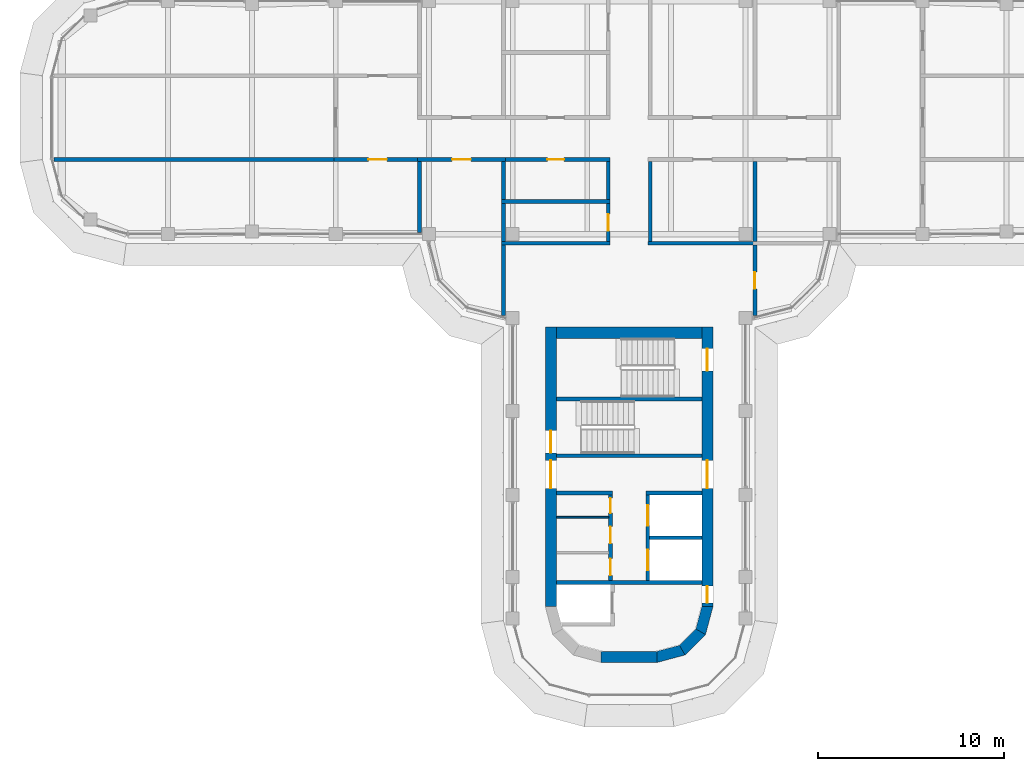
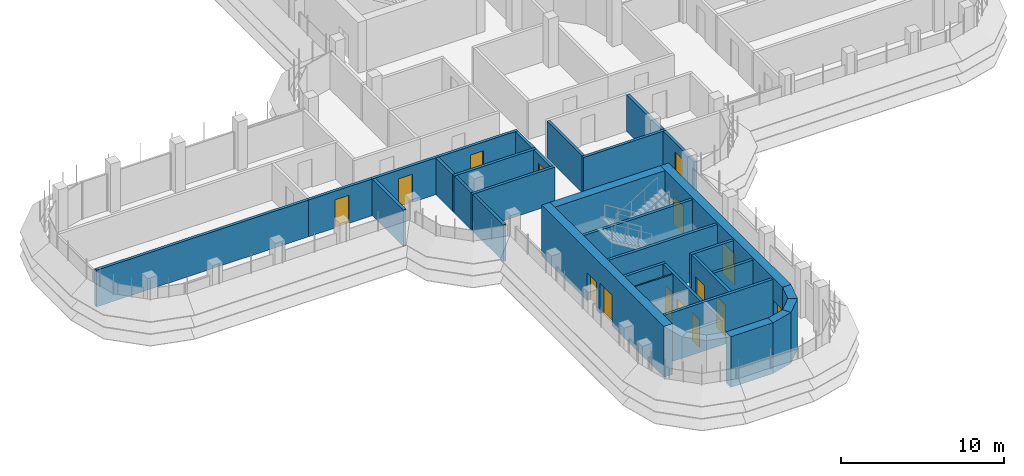
# One storey, part 13 of 19: 32 walls, 15 doors, 15 openings.
"""IFC4 building model written with IfcOpenShell, lengths in metres."""

import ifcopenshell
import ifcopenshell.guid

model = None  # the IFC model being written
_history = None  # IfcOwnerHistory: only IFC2X3 demands one
_inside = {}  # id of a spatial element -> (the spatial element, [elements in it])
_under = {}  # id of a project, library or spatial element -> (it, [spatial elements below it])
_declared = {}  # id of a project -> (the project, [libraries it declares])
_typed = {}  # id of a type object -> (the type object, [elements of that type])
_made_of = {}  # id of a material, layer set ... -> (it, [elements and type objects made of it])


def new_model(schema):
    """Start an empty IFC model of exactly this schema.

    Asked for "IFC4X3", IfcOpenShell would pick the latest addendum, in which some entities
    have other attributes; the version numbers below select the first issue.
    IFC2X3 requires an IfcOwnerHistory on every rooted entity: one is made here for all.
    """
    global model, _history
    if schema == "IFC4X3":
        model = ifcopenshell.file(schema_version=(4, 3, 0, 0))
    else:
        model = ifcopenshell.file(schema=schema)
    _inside.clear()
    _under.clear()
    _declared.clear()
    _typed.clear()
    _made_of.clear()
    _history = None
    if model.schema == "IFC2X3":
        org = make("IfcOrganization", Name="unknown")
        user = make(
            "IfcPersonAndOrganization",
            ThePerson=make("IfcPerson", FamilyName="unknown"),
            TheOrganization=org,
        )
        app = make(
            "IfcApplication",
            ApplicationDeveloper=org,
            Version="unknown",
            ApplicationFullName="unknown",
            ApplicationIdentifier="unknown",
        )
        _history = make(
            "IfcOwnerHistory",
            OwningUser=user,
            OwningApplication=app,
            ChangeAction="ADDED",
            CreationDate=0,
        )
    return model


def make(cls, **values):
    """One entity of the class cls with the attributes given. An attribute that is None is left unset."""
    return model.create_entity(
        cls, **{name: value for name, value in values.items() if value is not None}
    )


def rooted(cls, **values):
    """An entity with a GlobalId (a new one), such as an element, a storey or a relation."""
    return make(cls, GlobalId=ifcopenshell.guid.new(), OwnerHistory=_history, **values)


def si_unit(unit_type, name, prefix=None):
    """IfcSIUnit, for example si_unit("LENGTHUNIT", "METRE", prefix="MILLI")."""
    return make("IfcSIUnit", UnitType=unit_type, Prefix=prefix, Name=name)


def assignment(units):
    """IfcUnitAssignment: the units of a project."""
    return None if units is None else make("IfcUnitAssignment", Units=units)


def point(xyz):
    """IfcCartesianPoint."""
    return None if xyz is None else make("IfcCartesianPoint", Coordinates=xyz)


def direction(xyz):
    """IfcDirection."""
    return None if xyz is None else make("IfcDirection", DirectionRatios=xyz)


def frame(location, z_axis=None, x_axis=None):
    """IfcAxis2Placement3D, a coordinate frame: its origin and axes. An axis left out is left unset."""
    return make(
        "IfcAxis2Placement3D",
        Location=point(location),
        Axis=direction(z_axis),
        RefDirection=direction(x_axis),
    )


def frame_2d(location, x_axis=None):
    """IfcAxis2Placement2D, a coordinate frame in the plane: its origin and x axis."""
    return make(
        "IfcAxis2Placement2D", Location=point(location), RefDirection=direction(x_axis)
    )


def origin():
    """The frame at (0, 0, 0) with its axes left unset."""
    return frame((0.0, 0.0, 0.0))


def place(relative_to, where):
    """IfcLocalPlacement: puts the frame where relative to a parent placement (None: the world)."""
    return make(
        "IfcLocalPlacement", PlacementRelTo=relative_to, RelativePlacement=where
    )


def context(
    kind, dimensions, precision=None, world=None, true_north=None, identifier=None
):
    """IfcGeometricRepresentationContext, for example the 3D "Model" context."""
    return make(
        "IfcGeometricRepresentationContext",
        ContextIdentifier=identifier,
        ContextType=kind,
        CoordinateSpaceDimension=dimensions,
        Precision=precision,
        WorldCoordinateSystem=world,
        TrueNorth=true_north,
    )


def subcontext(parent, identifier, kind, view, scale=None):
    """IfcGeometricRepresentationSubContext, for example "Body" below "Model"."""
    return make(
        "IfcGeometricRepresentationSubContext",
        ContextIdentifier=identifier,
        ContextType=kind,
        ParentContext=parent,
        TargetScale=scale,
        TargetView=view,
    )


def project(units=None, contexts=None):
    """IfcProject with its units and contexts."""
    return rooted(
        "IfcProject",
        Name="project",
        RepresentationContexts=contexts,
        UnitsInContext=assignment(units),
    )


def spatial(cls, under=None, at=None, **own):
    """A site, building, storey or space (cls), placed at a placement, below another one or the project."""
    s = rooted(cls, ObjectPlacement=at, **own)
    if under is not None:
        _under.setdefault(under.id(), (under, []))[1].append(s)
    return s


def polyline(points):
    """IfcPolyline through the points."""
    return make("IfcPolyline", Points=[point(p) for p in points])


def profile(cls, at=None, kind="AREA", **sizes):
    """A parametric profile (cls). Its sizes go by their IFC names, for example OverallWidth=200.0."""
    return make(cls, ProfileType=kind, Position=at, **sizes)


def rectangle(**sizes):
    """IfcRectangleProfileDef."""
    return profile("IfcRectangleProfileDef", **sizes)


def outline(outer, holes=None, kind="AREA"):
    """IfcArbitraryClosedProfileDef: a profile drawn as a closed curve; with holes, ...WithVoids."""
    if holes is None:
        return make("IfcArbitraryClosedProfileDef", ProfileType=kind, OuterCurve=outer)
    return make(
        "IfcArbitraryProfileDefWithVoids",
        ProfileType=kind,
        OuterCurve=outer,
        InnerCurves=holes,
    )


def extrude(swept, where, along, depth):
    """IfcExtrudedAreaSolid: the profile swept, set in the frame where, extruded along a direction by depth."""
    return make(
        "IfcExtrudedAreaSolid",
        SweptArea=swept,
        Position=where,
        ExtrudedDirection=direction(along),
        Depth=depth,
    )


def shape(context_of_items, identifier, shape_type, items):
    """IfcShapeRepresentation: the items that make up one representation, for example the "Body"."""
    return make(
        "IfcShapeRepresentation",
        ContextOfItems=context_of_items,
        RepresentationIdentifier=identifier,
        RepresentationType=shape_type,
        Items=items,
    )


def material(Name=None, Category=None):
    """IfcMaterial."""
    return make("IfcMaterial", Name=Name, Category=Category)


def layer(
    of_material, thickness, ventilated=None, Name=None, Category=None, Priority=None
):
    """IfcMaterialLayer: one layer of a wall or slab, of a material (None: an air gap)."""
    return make(
        "IfcMaterialLayer",
        Material=of_material,
        LayerThickness=thickness,
        IsVentilated=ventilated,
        Name=Name,
        Category=Category,
        Priority=Priority,
    )


def layer_set(layers, Name=None):
    """IfcMaterialLayerSet."""
    return make("IfcMaterialLayerSet", MaterialLayers=layers, LayerSetName=Name)


def made_of(thing, what):
    """Note that an element or type object is made of a material, layer set ...; save() writes the relation."""
    if what is not None:
        _made_of.setdefault(what.id(), (what, []))[1].append(thing)
    return thing


def type_object(cls, material=None, **own):
    """A type object (cls), such as IfcWallType, which elements share."""
    return made_of(rooted(cls, **own), material)


def element(
    cls,
    number,
    at=None,
    inside=None,
    cuts=None,
    type_object=None,
    material=None,
    context=None,
    identifier="Body",
    shape_type=None,
    held_by="IfcProductDefinitionShape",
    body=None,
    shapes=None,
    **own,
):
    """One element of the class cls, such as IfcWall. Its Tag is "e" and its number.

    at: its placement. inside: the storey or other place that contains it. cuts: it is an
    opening in that element (IfcRelVoidsElement). A single representation is given by context,
    identifier, shape_type and body (its items); several are given by shapes. held_by: the class
    of the entity that holds the representations. save() writes the other relations.
    """
    e = rooted(cls, Tag="e%d" % number, ObjectPlacement=at, **own)
    if body is not None:
        shapes = [shape(context, identifier, shape_type, body)]
    if shapes is not None:
        e.Representation = make(held_by, Representations=shapes)
    if inside is not None:
        _inside.setdefault(inside.id(), (inside, []))[1].append(e)
    if cuts is not None:
        rooted(
            "IfcRelVoidsElement", RelatingBuildingElement=cuts, RelatedOpeningElement=e
        )
    if type_object is not None:
        _typed.setdefault(type_object.id(), (type_object, []))[1].append(e)
    return made_of(e, material)


def fill(opening, filler):
    """IfcRelFillsElement: the door or window that sits in an opening."""
    return rooted(
        "IfcRelFillsElement",
        RelatingOpeningElement=opening,
        RelatedBuildingElement=filler,
    )


def aggregate(whole, parts):
    """IfcRelAggregates: a whole, such as a stair, and the parts it consists of."""
    return rooted("IfcRelAggregates", RelatingObject=whole, RelatedObjects=parts)


def save(model, path):
    """Write the relations noted so far, then the file.

    IfcRelAggregates (storeys below a building ...), IfcRelContainedInSpatialStructure (elements
    in a storey), IfcRelDefinesByType, IfcRelAssociatesMaterial and IfcRelDeclares: one each for
    every whole, place, type object, material and project.
    """
    for whole, parts in _under.values():
        aggregate(whole, parts)
    for where, things in _inside.values():
        rooted(
            "IfcRelContainedInSpatialStructure",
            RelatedElements=things,
            RelatingStructure=where,
        )
    for kind, things in _typed.values():
        rooted("IfcRelDefinesByType", RelatedObjects=things, RelatingType=kind)
    for what, things in _made_of.values():
        rooted("IfcRelAssociatesMaterial", RelatedObjects=things, RelatingMaterial=what)
    for by, libraries in _declared.values():
        rooted("IfcRelDeclares", RelatingContext=by, RelatedDefinitions=libraries)
    model.write(path)


model = new_model("IFC4")

# Units and contexts
model_context = context("Model", 3, precision=1e-05, world=origin(), true_north=direction((0.0, 1.0)))
body_context = subcontext(model_context, "Body", "Model", "MODEL_VIEW")
ifc_project = project(units=[si_unit("LENGTHUNIT", "METRE"), si_unit("AREAUNIT", "SQUARE_METRE"), si_unit("VOLUMEUNIT", "CUBIC_METRE"), si_unit("PLANEANGLEUNIT", "RADIAN"), si_unit("MASSUNIT", "GRAM", prefix="KILO")], contexts=[model_context])

# Site, building, storey
site_placement = place(None, origin())
site = spatial("IfcSite", under=ifc_project, at=site_placement, CompositionType="ELEMENT")
building_placement = place(site_placement, origin())
building = spatial("IfcBuilding", under=site, at=building_placement, Name="Zarbagh Exchange Tower", CompositionType="ELEMENT")
storey_placement = place(building_placement, frame((0.0, 0.0, 203.0)))
storey = spatial("IfcBuildingStorey", under=building, at=storey_placement, Name="L49", CompositionType="ELEMENT", Elevation=203.0)

# Wall
ifc_material_1 = material(Name="Dense blockwork", Category="masonry")
ifc_layer_1 = layer(ifc_material_1, 0.10009765625)
ifc_layer_set_1 = layer_set([ifc_layer_1], Name="Core partition 100 mm blockwork")
wall_type_1 = type_object("IfcWallType", Name="Core partition 100 mm blockwork", PredefinedType="PARTITIONING", material=ifc_layer_set_1)
wall_1_placement = place(storey_placement, frame((-1.10009765625, -21.449951171875, 0.0), z_axis=(0.0, 0.0, 1.0), x_axis=(-1.0, 0.0, 0.0)))
element("IfcWall", 1, at=wall_1_placement, inside=storey, type_object=wall_type_1, Name="South core partition wall CUT-E-690", PredefinedType="PARTITIONING", context=body_context, shape_type="SweptSolid", body=[
    extrude(rectangle(XDim=2.7998046875, YDim=0.10009765625, at=frame_2d((1.39990234375, 0.0))), origin(), (0.0, 0.0, 1.0), 3.64990234375),
])

# Wall, opening, door
ifc_material_2 = material(Name="Fire-rated plasterboard partition")
ifc_layer_2 = layer(ifc_material_2, 0.199951171875)
ifc_layer_set_2 = layer_set([ifc_layer_2], Name="RATED PARTITION 200")
wall_type_2 = type_object("IfcWallType", Name="RATED PARTITION 200", PredefinedType="PARTITIONING", material=ifc_layer_set_2)
wall_2_placement = place(storey_placement, frame((-1.02490234375, -2.25, 0.0), z_axis=(0.0, 0.0, 1.0), x_axis=(-1.0, 0.0, 0.0)))
wall_2 = element("IfcWall", 2, at=wall_2_placement, inside=storey, type_object=wall_type_2, Name="Partition W-2107", PredefinedType="PARTITIONING", context=body_context, shape_type="SweptSolid", body=[
    extrude(rectangle(XDim=5.8251953125, YDim=0.199951171875, at=frame_2d((2.91259765625, 0.0))), origin(), (0.0, 0.0, 1.0), 2.75),
])
opening_1_placement = place(wall_2_placement, frame((2.46240234375, 0.0, 0.0)))
opening_1 = element("IfcOpeningElement", 3, at=opening_1_placement, cuts=wall_2, Name="Opening D-2112", PredefinedType="OPENING", context=body_context, shape_type="SweptSolid", body=[
    extrude(rectangle(XDim=0.89990234375, YDim=2.10009765625, at=frame_2d((0.449951171875, 1.050048828125))), frame((0.0, 0.10986328125, 0.0), z_axis=(0.0, -1.0, 0.0), x_axis=(1.0, 0.0, 0.0)), (0.0, 0.0, 1.0), 0.219970703125),
])
ifc_material_3 = material(Name="Timber door leaf", Category="wood")
door_type_1 = type_object("IfcDoorType", Name="DOOR 900 X 2100", OperationType="NOTDEFINED", PredefinedType="DOOR", material=ifc_material_3)
door_1_placement = place(opening_1_placement, origin())
door_1 = element("IfcDoor", 4, at=door_1_placement, inside=storey, type_object=door_type_1, Name="Door D-2112", OperationType="SINGLE_SWING_RIGHT", OverallHeight=2.10009765625, OverallWidth=0.89990234375, PredefinedType="DOOR", context=body_context, shape_type="SweptSolid", body=[
    extrude(rectangle(XDim=0.89990234375, YDim=2.10009765625, at=frame_2d((0.449951171875, 1.050048828125))), frame((0.0, 0.02490234375, 0.0), z_axis=(0.0, -1.0, 0.0), x_axis=(1.0, 0.0, 0.0)), (0.0, 0.0, 1.0), 0.050048828125),
])
fill(opening_1, door_1)

wall_3_placement = place(storey_placement, frame((-6.64990234375, -2.25, 0.0), z_axis=(0.0, 0.0, 1.0), x_axis=(-1.0, 0.0, 0.0)))
wall_3 = element("IfcWall", 5, at=wall_3_placement, inside=storey, type_object=wall_type_2, Name="Partition W-2108", PredefinedType="PARTITIONING", context=body_context, shape_type="SweptSolid", body=[
    extrude(rectangle(XDim=4.7001953125, YDim=0.199951171875, at=frame_2d((2.35009765625, 0.0))), origin(), (0.0, 0.0, 1.0), 2.75),
])
opening_2_placement = place(wall_3_placement, frame((1.85009765625, 0.0, 0.0)))
opening_2 = element("IfcOpeningElement", 6, at=opening_2_placement, cuts=wall_3, Name="Opening D-2114", PredefinedType="OPENING", context=body_context, shape_type="SweptSolid", body=[
    extrude(rectangle(XDim=1.0, YDim=2.10009765625, at=frame_2d((0.5, 1.050048828125))), frame((0.0, 0.10986328125, 0.0), z_axis=(0.0, -1.0, 0.0), x_axis=(1.0, 0.0, 0.0)), (0.0, 0.0, 1.0), 0.219970703125),
])
ifc_material_4 = material(Name="Steel door set", Category="steel")
door_type_2 = type_object("IfcDoorType", Name="FIRE DOOR 1000 X 2100 FD30S", OperationType="NOTDEFINED", PredefinedType="DOOR", material=ifc_material_4)
door_2_placement = place(opening_2_placement, origin())
door_2 = element("IfcDoor", 7, at=door_2_placement, inside=storey, type_object=door_type_2, Name="Door D-2114", OperationType="SINGLE_SWING_RIGHT", OverallHeight=2.10009765625, OverallWidth=1.0, PredefinedType="DOOR", context=body_context, shape_type="SweptSolid", body=[
    extrude(rectangle(XDim=1.0, YDim=2.10009765625, at=frame_2d((0.5, 1.050048828125))), frame((0.0, 0.02490234375, 0.0), z_axis=(0.0, -1.0, 0.0), x_axis=(1.0, 0.0, 0.0)), (0.0, 0.0, 1.0), 0.050048828125),
])
fill(opening_2, door_2)

# Walls
wall_4_placement = place(storey_placement, frame((1.125, -6.64990234375, 0.0), z_axis=(0.0, 0.0, 1.0), x_axis=(0.0, 1.0, 0.0)))
element("IfcWall", 8, at=wall_4_placement, inside=storey, type_object=wall_type_2, Name="Partition W-2112", PredefinedType="PARTITIONING", context=body_context, shape_type="SweptSolid", body=[
    extrude(rectangle(XDim=4.2998046875, YDim=0.199951171875, at=frame_2d((2.14990234375, 0.0))), origin(), (0.0, 0.0, 1.0), 2.75),
])
wall_5_placement = place(storey_placement, frame((-1.125, -4.39990234375, 0.0), z_axis=(0.0, 0.0, 1.0), x_axis=(0.0, 1.0, 0.0)))
element("IfcWall", 9, at=wall_5_placement, inside=storey, type_object=wall_type_2, Name="Partition W-2113", PredefinedType="PARTITIONING", context=body_context, shape_type="SweptSolid", body=[
    extrude(rectangle(XDim=2.0498046875, YDim=0.199951171875, at=frame_2d((1.02490234375, 0.0))), origin(), (0.0, 0.0, 1.0), 2.75),
])

# Wall, opening, door
wall_6_placement = place(storey_placement, frame((-1.125, -6.64990234375, 0.0), z_axis=(0.0, 0.0, 1.0), x_axis=(0.0, 1.0, 0.0)))
wall_6 = element("IfcWall", 10, at=wall_6_placement, inside=storey, type_object=wall_type_2, Name="Partition W-2114", PredefinedType="PARTITIONING", context=body_context, shape_type="SweptSolid", body=[
    extrude(rectangle(XDim=2.0498046875, YDim=0.199951171875, at=frame_2d((1.02490234375, 0.0))), origin(), (0.0, 0.0, 1.0), 2.75),
])
opening_3_placement = place(wall_6_placement, frame((0.574951171875, 0.0, 0.0)))
opening_3 = element("IfcOpeningElement", 11, at=opening_3_placement, cuts=wall_6, Name="Opening D-2113", PredefinedType="OPENING", context=body_context, shape_type="SweptSolid", body=[
    extrude(rectangle(XDim=0.89990234375, YDim=2.10009765625, at=frame_2d((0.449951171875, 1.050048828125))), frame((0.0, 0.10986328125, 0.0), z_axis=(0.0, -1.0, 0.0), x_axis=(1.0, 0.0, 0.0)), (0.0, 0.0, 1.0), 0.219970703125),
])
door_3_placement = place(opening_3_placement, origin())
door_3 = element("IfcDoor", 12, at=door_3_placement, inside=storey, type_object=door_type_1, Name="Door D-2113", OperationType="SINGLE_SWING_RIGHT", OverallHeight=2.10009765625, OverallWidth=0.89990234375, PredefinedType="DOOR", context=body_context, shape_type="SweptSolid", body=[
    extrude(rectangle(XDim=0.89990234375, YDim=2.10009765625, at=frame_2d((0.449951171875, 1.050048828125))), frame((0.0, 0.02490234375, 0.0), z_axis=(0.0, -1.0, 0.0), x_axis=(1.0, 0.0, 0.0)), (0.0, 0.0, 1.0), 0.050048828125),
])
fill(opening_3, door_3)

# Wall
wall_7_placement = place(storey_placement, frame((1.02490234375, -6.75, 0.0), z_axis=(0.0, 0.0, 1.0), x_axis=(1.0, 0.0, 0.0)))
element("IfcWall", 13, at=wall_7_placement, inside=storey, type_object=wall_type_2, Name="Partition W-2119", PredefinedType="PARTITIONING", context=body_context, shape_type="SweptSolid", body=[
    extrude(rectangle(XDim=5.8251953125, YDim=0.199951171875, at=frame_2d((2.91259765625, 0.0))), origin(), (0.0, 0.0, 1.0), 2.75),
])

# Wall, opening, door
wall_8_placement = place(storey_placement, frame((6.75, -6.85009765625, 0.0), z_axis=(0.0, 0.0, 1.0), x_axis=(0.0, -1.0, 0.0)))
wall_8 = element("IfcWall", 14, at=wall_8_placement, inside=storey, type_object=wall_type_2, Name="Partition W-2120", PredefinedType="PARTITIONING", context=body_context, shape_type="SweptSolid", body=[
    extrude(rectangle(XDim=3.77978515625, YDim=0.199951171875, at=frame_2d((1.889892578125, 0.0))), origin(), (0.0, 0.0, 1.0), 2.75),
])
opening_4_placement = place(wall_8_placement, frame((1.43994140625, 0.0, 0.0)))
opening_4 = element("IfcOpeningElement", 15, at=opening_4_placement, cuts=wall_8, Name="Opening D-2111", PredefinedType="OPENING", context=body_context, shape_type="SweptSolid", body=[
    extrude(rectangle(XDim=0.89990234375, YDim=2.10009765625, at=frame_2d((0.449951171875, 1.050048828125))), frame((0.0, 0.10986328125, 0.0), z_axis=(0.0, -1.0, 0.0), x_axis=(1.0, 0.0, 0.0)), (0.0, 0.0, 1.0), 0.219970703125),
])
door_4_placement = place(opening_4_placement, origin())
door_4 = element("IfcDoor", 16, at=door_4_placement, inside=storey, type_object=door_type_1, Name="Door D-2111", OperationType="SINGLE_SWING_LEFT", OverallHeight=2.10009765625, OverallWidth=0.89990234375, PredefinedType="DOOR", context=body_context, shape_type="SweptSolid", body=[
    extrude(rectangle(XDim=0.89990234375, YDim=2.10009765625, at=frame_2d((0.449951171875, 1.050048828125))), frame((0.0, 0.02490234375, 0.0), z_axis=(0.0, -1.0, 0.0), x_axis=(1.0, 0.0, 0.0)), (0.0, 0.0, 1.0), 0.050048828125),
])
fill(opening_4, door_4)

# Walls
wall_9_placement = place(storey_placement, frame((-6.85009765625, -6.75, 0.0), z_axis=(0.0, 0.0, 1.0), x_axis=(1.0, 0.0, 0.0)))
element("IfcWall", 17, at=wall_9_placement, inside=storey, type_object=wall_type_2, Name="Partition W-2121", PredefinedType="PARTITIONING", context=body_context, shape_type="SweptSolid", body=[
    extrude(rectangle(XDim=5.8251953125, YDim=0.199951171875, at=frame_2d((2.91259765625, 0.0))), origin(), (0.0, 0.0, 1.0), 2.75),
])
wall_10_placement = place(storey_placement, frame((-6.75, -10.6298828125, 0.0), z_axis=(0.0, 0.0, 1.0), x_axis=(0.0, 1.0, 0.0)))
element("IfcWall", 18, at=wall_10_placement, inside=storey, type_object=wall_type_2, Name="Partition W-2122", PredefinedType="PARTITIONING", context=body_context, shape_type="SweptSolid", body=[
    extrude(rectangle(XDim=3.77978515625, YDim=0.199951171875, at=frame_2d((1.889892578125, 0.0))), origin(), (0.0, 0.0, 1.0), 2.75),
])
wall_11_placement = place(storey_placement, frame((6.75, -6.64990234375, 0.0), z_axis=(0.0, 0.0, 1.0), x_axis=(0.0, 1.0, 0.0)))
element("IfcWall", 19, at=wall_11_placement, inside=storey, type_object=wall_type_2, Name="Partition W-2130", PredefinedType="PARTITIONING", context=body_context, shape_type="SweptSolid", body=[
    extrude(rectangle(XDim=4.2998046875, YDim=0.199951171875, at=frame_2d((2.14990234375, 0.0))), origin(), (0.0, 0.0, 1.0), 2.75),
])
wall_12_placement = place(storey_placement, frame((-6.85009765625, -4.5, 0.0), z_axis=(0.0, 0.0, 1.0), x_axis=(1.0, 0.0, 0.0)))
element("IfcWall", 20, at=wall_12_placement, inside=storey, type_object=wall_type_2, Name="Partition W-2133", PredefinedType="PARTITIONING", context=body_context, shape_type="SweptSolid", body=[
    extrude(rectangle(XDim=5.8251953125, YDim=0.199951171875, at=frame_2d((2.91259765625, 0.0))), origin(), (0.0, 0.0, 1.0), 2.75),
])
for number, where, z_axis, x_axis, name in (
    (21, (-6.75, -4.39990234375, 0.0), (0.0, 0.0, 1.0), (0.0, 1.0, 0.0), "Partition W-2134"),
    (22, (-6.75, -6.64990234375, 0.0), (0.0, 0.0, 1.0), (0.0, 1.0, 0.0), "Partition W-2135"),
):
    element("IfcWall", number, at=place(storey_placement, frame(where, z_axis=z_axis, x_axis=x_axis)), inside=storey, type_object=wall_type_2, Name=name, PredefinedType="PARTITIONING", context=body_context, shape_type="SweptSolid", body=[
        extrude(rectangle(XDim=2.0498046875, YDim=0.199951171875, at=frame_2d((1.02490234375, 0.0))), origin(), (0.0, 0.0, 1.0), 2.75),
    ])
wall_13_placement = place(storey_placement, frame((-11.25, -6.169921875, 0.0), z_axis=(0.0, 0.0, 1.0), x_axis=(0.0, 1.0, 0.0)))
element("IfcWall", 23, at=wall_13_placement, inside=storey, type_object=wall_type_2, Name="Partition W-2136", PredefinedType="PARTITIONING", context=body_context, shape_type="SweptSolid", body=[
    extrude(rectangle(XDim=3.81982421875, YDim=0.199951171875, at=frame_2d((1.909912109375, 0.0))), origin(), (0.0, 0.0, 1.0), 2.75),
])

# Wall, opening, door
wall_14_placement = place(storey_placement, frame((-11.14990234375, -2.25, 0.0), z_axis=(0.0, 0.0, 1.0), x_axis=(-1.0, 0.0, 0.0)))
wall_14 = element("IfcWall", 24, at=wall_14_placement, inside=storey, type_object=wall_type_2, Name="Partition W-2145", PredefinedType="PARTITIONING", context=body_context, shape_type="SweptSolid", body=[
    extrude(rectangle(XDim=4.7001953125, YDim=0.199951171875, at=frame_2d((2.35009765625, 0.0))), origin(), (0.0, 0.0, 1.0), 2.75),
])
opening_5_placement = place(wall_14_placement, frame((1.85009765625, 0.0, 0.0)))
opening_5 = element("IfcOpeningElement", 25, at=opening_5_placement, cuts=wall_14, Name="Opening D-2117", PredefinedType="OPENING", context=body_context, shape_type="SweptSolid", body=[
    extrude(rectangle(XDim=1.0, YDim=2.10009765625, at=frame_2d((0.5, 1.050048828125))), frame((0.0, 0.10986328125, 0.0), z_axis=(0.0, -1.0, 0.0), x_axis=(1.0, 0.0, 0.0)), (0.0, 0.0, 1.0), 0.219970703125),
])
door_5_placement = place(opening_5_placement, origin())
door_5 = element("IfcDoor", 26, at=door_5_placement, inside=storey, type_object=door_type_2, Name="Door D-2117", OperationType="SINGLE_SWING_RIGHT", OverallHeight=2.10009765625, OverallWidth=1.0, PredefinedType="DOOR", context=body_context, shape_type="SweptSolid", body=[
    extrude(rectangle(XDim=1.0, YDim=2.10009765625, at=frame_2d((0.5, 1.050048828125))), frame((0.0, 0.02490234375, 0.0), z_axis=(0.0, -1.0, 0.0), x_axis=(1.0, 0.0, 0.0)), (0.0, 0.0, 1.0), 0.050048828125),
])
fill(opening_5, door_5)

# Walls
wall_15_placement = place(storey_placement, frame((-30.8798828125, -2.25, 0.0), z_axis=(0.0, 0.0, 1.0), x_axis=(1.0, 0.0, 0.0)))
element("IfcWall", 27, at=wall_15_placement, inside=storey, type_object=wall_type_2, Name="Partition W-2148", PredefinedType="PARTITIONING", context=body_context, shape_type="SweptSolid", body=[
    extrude(rectangle(XDim=15.22998046875, YDim=0.199951171875, at=frame_2d((7.614990234375, 0.0))), origin(), (0.0, 0.0, 1.0), 2.75),
])
ifc_material_5 = material(Name="Concrete C50/60", Category="concrete")
ifc_layer_3 = layer(ifc_material_5, 0.60009765625)
ifc_layer_set_3 = layer_set([ifc_layer_3], Name="RC core corner wall 600 C50/60")
wall_type_3 = type_object("IfcWallType", Name="RC core corner wall 600 C50/60", PredefinedType="SHEAR", material=ifc_layer_set_3)
wall_16_placement = place(storey_placement, origin())
element("IfcWall", 28, at=wall_16_placement, inside=storey, type_object=wall_type_3, Name="CW8 core S corner E", PredefinedType="SHEAR", context=body_context, shape_type="SweptSolid", body=[
    extrude(outline(polyline([(4.5, -26.25), (4.09814453125, -27.75), (3.57861328125, -27.449951171875), (3.89990234375, -26.25), (4.5, -26.25)])), origin(), (0.0, 0.0, 1.0), 3.800048828125),
])
wall_17_placement = place(storey_placement, origin())
element("IfcWall", 29, at=wall_17_placement, inside=storey, type_object=wall_type_3, Name="CW8 core S corner E", PredefinedType="SHEAR", context=body_context, shape_type="SweptSolid", body=[
    extrude(outline(polyline([(4.09814453125, -27.75), (3.0, -28.84814453125), (2.699951171875, -28.32861328125), (3.57861328125, -27.449951171875), (4.09814453125, -27.75)])), origin(), (0.0, 0.0, 1.0), 3.800048828125),
])
wall_18_placement = place(storey_placement, origin())
element("IfcWall", 30, at=wall_18_placement, inside=storey, type_object=wall_type_3, Name="CW8 core S corner E", PredefinedType="SHEAR", context=body_context, shape_type="SweptSolid", body=[
    extrude(outline(polyline([(3.0, -28.84814453125), (1.5, -29.25), (1.5, -28.64990234375), (2.699951171875, -28.32861328125), (3.0, -28.84814453125)])), origin(), (0.0, 0.0, 1.0), 3.800048828125),
])

# Wall, openings, doors
ifc_layer_4 = layer(ifc_material_5, 0.60009765625)
ifc_layer_set_4 = layer_set([ifc_layer_4], Name="RC core wall 600 C50/60")
wall_type_4 = type_object("IfcWallType", Name="RC core wall 600 C50/60", PredefinedType="SHEAR", material=ifc_layer_set_4)
wall_19_placement = place(storey_placement, frame((-4.199951171875, -11.25, 0.0), z_axis=(0.0, 0.0, 1.0), x_axis=(0.0, -1.0, 0.0)))
wall_19 = element("IfcWall", 31, at=wall_19_placement, inside=storey, type_object=wall_type_4, Name="CW7 core S W", PredefinedType="SHEAR", context=body_context, shape_type="SweptSolid", body=[
    extrude(rectangle(XDim=15.0, YDim=0.60009765625, at=frame_2d((7.5, 0.0))), origin(), (0.0, 0.0, 1.0), 3.800048828125),
])
opening_6_placement = place(wall_19_placement, frame((7.14990234375, 0.0, 0.0)))
opening_6 = element("IfcOpeningElement", 32, at=opening_6_placement, cuts=wall_19, Name="Opening CD1-1500", PredefinedType="OPENING", context=body_context, shape_type="SweptSolid", body=[
    extrude(rectangle(XDim=1.5, YDim=2.300048828125, at=frame_2d((0.75, 1.14990234375))), frame((0.0, 0.31005859375, 0.0), z_axis=(0.0, -1.0, 0.0), x_axis=(1.0, 0.0, 0.0)), (0.0, 0.0, 1.0), 0.6201171875),
])
opening_7_placement = place(wall_19_placement, frame((5.550048828125, 0.0, 0.0)))
opening_7 = element("IfcOpeningElement", 33, at=opening_7_placement, cuts=wall_19, Name="Opening SD1-1200", PredefinedType="OPENING", context=body_context, shape_type="SweptSolid", body=[
    extrude(rectangle(XDim=1.199951171875, YDim=2.10009765625, at=frame_2d((0.60009765625, 1.050048828125))), frame((0.0, 0.31005859375, 0.0), z_axis=(0.0, -1.0, 0.0), x_axis=(1.0, 0.0, 0.0)), (0.0, 0.0, 1.0), 0.6201171875),
])
ifc_material_6 = material(Name="Steel", Category="steel")
door_type_3 = type_object("IfcDoorType", Name="Exit stair door 1200 x 2100", OperationType="NOTDEFINED", PredefinedType="DOOR", material=ifc_material_6)
door_6_placement = place(opening_7_placement, origin())
door_6 = element("IfcDoor", 34, at=door_6_placement, inside=storey, type_object=door_type_3, Name="South core stair door ST1", OperationType="SINGLE_SWING_LEFT", OverallHeight=2.10009765625, OverallWidth=1.199951171875, PredefinedType="DOOR", context=body_context, shape_type="SweptSolid", body=[
    extrude(rectangle(XDim=1.199951171875, YDim=2.10009765625, at=frame_2d((0.60009765625, 1.050048828125))), frame((0.0, 0.02490234375, 0.0), z_axis=(0.0, -1.0, 0.0), x_axis=(1.0, 0.0, 0.0)), (0.0, 0.0, 1.0), 0.050048828125),
])
fill(opening_7, door_6)
door_type_4 = type_object("IfcDoorType", Name="Lift lobby double door 1500 x 2300", OperationType="NOTDEFINED", PredefinedType="DOOR", material=ifc_material_6)
door_7_placement = place(opening_6_placement, origin())
door_7 = element("IfcDoor", 35, at=door_7_placement, inside=storey, type_object=door_type_4, Name="South core lift lobby door LOBBY-E", OperationType="DOUBLE_DOOR_SINGLE_SWING", OverallHeight=2.300048828125, OverallWidth=1.5, PredefinedType="DOOR", context=body_context, shape_type="SweptSolid", body=[
    extrude(rectangle(XDim=1.5, YDim=2.300048828125, at=frame_2d((0.75, 1.14990234375))), frame((0.0, 0.02490234375, 0.0), z_axis=(0.0, -1.0, 0.0), x_axis=(1.0, 0.0, 0.0)), (0.0, 0.0, 1.0), 0.050048828125),
])
fill(opening_6, door_7)

wall_20_placement = place(storey_placement, frame((4.199951171875, -11.25, 0.0), z_axis=(0.0, 0.0, 1.0), x_axis=(0.0, -1.0, 0.0)))
wall_20 = element("IfcWall", 36, at=wall_20_placement, inside=storey, type_object=wall_type_4, Name="CW7 core S E", PredefinedType="SHEAR", context=body_context, shape_type="SweptSolid", body=[
    extrude(rectangle(XDim=15.0, YDim=0.60009765625, at=frame_2d((7.5, 0.0))), origin(), (0.0, 0.0, 1.0), 3.800048828125),
])
opening_8_placement = place(wall_20_placement, frame((7.14990234375, 0.0, 0.0)))
opening_8 = element("IfcOpeningElement", 37, at=opening_8_placement, cuts=wall_20, Name="Opening CD1-1500", PredefinedType="OPENING", context=body_context, shape_type="SweptSolid", body=[
    extrude(rectangle(XDim=1.5, YDim=2.300048828125, at=frame_2d((0.75, 1.14990234375))), frame((0.0, 0.31005859375, 0.0), z_axis=(0.0, -1.0, 0.0), x_axis=(1.0, 0.0, 0.0)), (0.0, 0.0, 1.0), 0.6201171875),
])
opening_9_placement = place(wall_20_placement, frame((13.89990234375, 0.0, 0.0)))
opening_9 = element("IfcOpeningElement", 38, at=opening_9_placement, cuts=wall_20, Name="Opening CD2-900", PredefinedType="OPENING", context=body_context, shape_type="SweptSolid", body=[
    extrude(rectangle(XDim=0.89990234375, YDim=2.10009765625, at=frame_2d((0.449951171875, 1.050048828125))), frame((0.0, 0.31005859375, 0.0), z_axis=(0.0, -1.0, 0.0), x_axis=(1.0, 0.0, 0.0)), (0.0, 0.0, 1.0), 0.6201171875),
])
opening_10_placement = place(wall_20_placement, frame((1.14990234375, 0.0, 0.0)))
opening_10 = element("IfcOpeningElement", 39, at=opening_10_placement, cuts=wall_20, Name="Opening SD1-1200", PredefinedType="OPENING", context=body_context, shape_type="SweptSolid", body=[
    extrude(rectangle(XDim=1.199951171875, YDim=2.10009765625, at=frame_2d((0.60009765625, 1.050048828125))), frame((0.0, 0.31005859375, 0.0), z_axis=(0.0, -1.0, 0.0), x_axis=(1.0, 0.0, 0.0)), (0.0, 0.0, 1.0), 0.6201171875),
])
door_8_placement = place(opening_10_placement, origin())
door_8 = element("IfcDoor", 40, at=door_8_placement, inside=storey, type_object=door_type_3, Name="South core stair door ST2", OperationType="SINGLE_SWING_RIGHT", OverallHeight=2.10009765625, OverallWidth=1.199951171875, PredefinedType="DOOR", context=body_context, shape_type="SweptSolid", body=[
    extrude(rectangle(XDim=1.199951171875, YDim=2.10009765625, at=frame_2d((0.60009765625, 1.050048828125))), frame((0.0, 0.02490234375, 0.0), z_axis=(0.0, -1.0, 0.0), x_axis=(1.0, 0.0, 0.0)), (0.0, 0.0, 1.0), 0.050048828125),
])
fill(opening_10, door_8)
door_type_5 = type_object("IfcDoorType", Name="Firefighting lobby door 900 x 2100", OperationType="NOTDEFINED", PredefinedType="DOOR", material=ifc_material_6)
door_9_placement = place(opening_9_placement, origin())
door_9 = element("IfcDoor", 41, at=door_9_placement, inside=storey, type_object=door_type_5, Name="South core firefighting lobby door FF-W", OperationType="SINGLE_SWING_RIGHT", OverallHeight=2.10009765625, OverallWidth=0.89990234375, PredefinedType="DOOR", context=body_context, shape_type="SweptSolid", body=[
    extrude(rectangle(XDim=0.89990234375, YDim=2.10009765625, at=frame_2d((0.449951171875, 1.050048828125))), frame((0.0, 0.02490234375, 0.0), z_axis=(0.0, -1.0, 0.0), x_axis=(1.0, 0.0, 0.0)), (0.0, 0.0, 1.0), 0.050048828125),
])
fill(opening_9, door_9)
door_10_placement = place(opening_8_placement, origin())
door_10 = element("IfcDoor", 42, at=door_10_placement, inside=storey, type_object=door_type_4, Name="South core lift lobby door LOBBY-W", OperationType="DOUBLE_DOOR_SINGLE_SWING", OverallHeight=2.300048828125, OverallWidth=1.5, PredefinedType="DOOR", context=body_context, shape_type="SweptSolid", body=[
    extrude(rectangle(XDim=1.5, YDim=2.300048828125, at=frame_2d((0.75, 1.14990234375))), frame((0.0, 0.02490234375, 0.0), z_axis=(0.0, -1.0, 0.0), x_axis=(1.0, 0.0, 0.0)), (0.0, 0.0, 1.0), 0.050048828125),
])
fill(opening_8, door_10)

# Walls
wall_21_placement = place(storey_placement, frame((-3.89990234375, -11.550048828125, 0.0), z_axis=(0.0, 0.0, 1.0), x_axis=(1.0, 0.0, 0.0)))
element("IfcWall", 43, at=wall_21_placement, inside=storey, type_object=wall_type_4, Name="CW7 core S inner end", PredefinedType="SHEAR", context=body_context, shape_type="SweptSolid", body=[
    extrude(rectangle(XDim=7.7998046875, YDim=0.60009765625, at=frame_2d((3.89990234375, 0.0))), origin(), (0.0, 0.0, 1.0), 3.800048828125),
])
wall_22_placement = place(storey_placement, frame((-1.5, -28.949951171875, 0.0), z_axis=(0.0, 0.0, 1.0), x_axis=(1.0, 0.0, 0.0)))
element("IfcWall", 44, at=wall_22_placement, inside=storey, type_object=wall_type_4, Name="CW7 core S outer end", PredefinedType="SHEAR", context=body_context, shape_type="SweptSolid", body=[
    extrude(rectangle(XDim=3.0, YDim=0.60009765625, at=frame_2d((1.5, 0.0))), origin(), (0.0, 0.0, 1.0), 3.800048828125),
])
ifc_layer_5 = layer(ifc_material_1, 0.199951171875)
ifc_layer_set_5 = layer_set([ifc_layer_5], Name="Shaft wall 200 mm blockwork")
wall_type_5 = type_object("IfcWallType", Name="Shaft wall 200 mm blockwork", PredefinedType="PARTITIONING", material=ifc_layer_set_5)
wall_23_placement = place(storey_placement, frame((3.89990234375, -20.14990234375, 0.0), z_axis=(0.0, 0.0, 1.0), x_axis=(-1.0, 0.0, 0.0)))
element("IfcWall", 45, at=wall_23_placement, inside=storey, type_object=wall_type_5, Name="South core shaft wall AB-W", PredefinedType="PARTITIONING", context=body_context, shape_type="SweptSolid", body=[
    extrude(rectangle(XDim=3.0, YDim=0.199951171875, at=frame_2d((1.5, 0.0))), origin(), (0.0, 0.0, 1.0), 3.64990234375),
])

# Wall, openings, doors
wall_24_placement = place(storey_placement, frame((1.0, -24.85009765625, 0.0), z_axis=(0.0, 0.0, 1.0), x_axis=(0.0, 1.0, 0.0)))
wall_24 = element("IfcWall", 46, at=wall_24_placement, inside=storey, type_object=wall_type_5, Name="South core shaft wall LW-W", PredefinedType="PARTITIONING", context=body_context, shape_type="SweptSolid", body=[
    extrude(rectangle(XDim=4.60009765625, YDim=0.199951171875, at=frame_2d((2.300048828125, 0.0))), origin(), (0.0, 0.0, 1.0), 3.64990234375),
])
opening_11_placement = place(wall_24_placement, frame((0.550048828125, 0.0, 0.0)))
opening_11 = element("IfcOpeningElement", 47, at=opening_11_placement, cuts=wall_24, Name="Opening LD-1100", PredefinedType="OPENING", context=body_context, shape_type="SweptSolid", body=[
    extrude(rectangle(XDim=1.10009765625, YDim=2.300048828125, at=frame_2d((0.550048828125, 1.14990234375))), frame((0.0, 0.10986328125, 0.0), z_axis=(0.0, -1.0, 0.0), x_axis=(1.0, 0.0, 0.0)), (0.0, 0.0, 1.0), 0.219970703125),
])
opening_12_placement = place(wall_24_placement, frame((2.949951171875, 0.0, 0.0)))
opening_12 = element("IfcOpeningElement", 48, at=opening_12_placement, cuts=wall_24, Name="Opening LD-1100", PredefinedType="OPENING", context=body_context, shape_type="SweptSolid", body=[
    extrude(rectangle(XDim=1.10009765625, YDim=2.300048828125, at=frame_2d((0.550048828125, 1.14990234375))), frame((0.0, 0.10986328125, 0.0), z_axis=(0.0, -1.0, 0.0), x_axis=(1.0, 0.0, 0.0)), (0.0, 0.0, 1.0), 0.219970703125),
])
ifc_material_7 = material(Name="Stainless steel", Category="steel")
door_type_6 = type_object("IfcDoorType", Name="Lift landing door 1100 x 2300", OperationType="NOTDEFINED", PredefinedType="DOOR", material=ifc_material_7)
door_11_placement = place(opening_11_placement, origin())
door_11 = element("IfcDoor", 49, at=door_11_placement, inside=storey, type_object=door_type_6, Name="South core lift landing door LD-P-S1", OperationType="DOUBLE_DOOR_SLIDING", OverallHeight=2.300048828125, OverallWidth=1.10009765625, PredefinedType="DOOR", context=body_context, shape_type="SweptSolid", body=[
    extrude(rectangle(XDim=1.10009765625, YDim=2.300048828125, at=frame_2d((0.550048828125, 1.14990234375))), frame((0.0, 0.02490234375, 0.0), z_axis=(0.0, -1.0, 0.0), x_axis=(1.0, 0.0, 0.0)), (0.0, 0.0, 1.0), 0.050048828125),
])
fill(opening_11, door_11)
door_12_placement = place(opening_12_placement, origin())
door_12 = element("IfcDoor", 50, at=door_12_placement, inside=storey, type_object=door_type_6, Name="South core lift landing door LD-P-S2", OperationType="DOUBLE_DOOR_SLIDING", OverallHeight=2.300048828125, OverallWidth=1.10009765625, PredefinedType="DOOR", context=body_context, shape_type="SweptSolid", body=[
    extrude(rectangle(XDim=1.10009765625, YDim=2.300048828125, at=frame_2d((0.550048828125, 1.14990234375))), frame((0.0, 0.02490234375, 0.0), z_axis=(0.0, -1.0, 0.0), x_axis=(1.0, 0.0, 0.0)), (0.0, 0.0, 1.0), 0.050048828125),
])
fill(opening_12, door_12)

# Wall
wall_25_placement = place(storey_placement, frame((-0.89990234375, -20.14990234375, 0.0), z_axis=(0.0, 0.0, 1.0), x_axis=(-1.0, 0.0, 0.0)))
element("IfcWall", 51, at=wall_25_placement, inside=storey, type_object=wall_type_5, Name="South core shaft wall AB-E", PredefinedType="PARTITIONING", context=body_context, shape_type="SweptSolid", body=[
    extrude(rectangle(XDim=3.0, YDim=0.199951171875, at=frame_2d((1.5, 0.0))), origin(), (0.0, 0.0, 1.0), 3.64990234375),
])

# Wall, openings, doors
wall_26_placement = place(storey_placement, frame((-1.0, -24.85009765625, 0.0), z_axis=(0.0, 0.0, 1.0), x_axis=(0.0, 1.0, 0.0)))
wall_26 = element("IfcWall", 52, at=wall_26_placement, inside=storey, type_object=wall_type_5, Name="South core shaft wall LW-E", PredefinedType="PARTITIONING", context=body_context, shape_type="SweptSolid", body=[
    extrude(rectangle(XDim=4.60009765625, YDim=0.199951171875, at=frame_2d((2.300048828125, 0.0))), origin(), (0.0, 0.0, 1.0), 3.64990234375),
])
opening_13_placement = place(wall_26_placement, frame((0.27490234375, 0.0, 0.0)))
opening_13 = element("IfcOpeningElement", 53, at=opening_13_placement, cuts=wall_26, Name="Opening CD3-900", PredefinedType="OPENING", context=body_context, shape_type="SweptSolid", body=[
    extrude(rectangle(XDim=0.89990234375, YDim=2.10009765625, at=frame_2d((0.449951171875, 1.050048828125))), frame((0.0, 0.10986328125, 0.0), z_axis=(0.0, -1.0, 0.0), x_axis=(1.0, 0.0, 0.0)), (0.0, 0.0, 1.0), 0.219970703125),
])
opening_14_placement = place(wall_26_placement, frame((2.0, 0.0, 0.0)))
opening_14 = element("IfcOpeningElement", 54, at=opening_14_placement, cuts=wall_26, Name="Opening CD3-900", PredefinedType="OPENING", context=body_context, shape_type="SweptSolid", body=[
    extrude(rectangle(XDim=0.89990234375, YDim=2.10009765625, at=frame_2d((0.449951171875, 1.050048828125))), frame((0.0, 0.10986328125, 0.0), z_axis=(0.0, -1.0, 0.0), x_axis=(1.0, 0.0, 0.0)), (0.0, 0.0, 1.0), 0.219970703125),
])
opening_15_placement = place(wall_26_placement, frame((3.625, 0.0, 0.0)))
opening_15 = element("IfcOpeningElement", 55, at=opening_15_placement, cuts=wall_26, Name="Opening CD3-800", PredefinedType="OPENING", context=body_context, shape_type="SweptSolid", body=[
    extrude(rectangle(XDim=0.800048828125, YDim=2.10009765625, at=frame_2d((0.39990234375, 1.050048828125))), frame((0.0, 0.10986328125, 0.0), z_axis=(0.0, -1.0, 0.0), x_axis=(1.0, 0.0, 0.0)), (0.0, 0.0, 1.0), 0.219970703125),
])
door_type_7 = type_object("IfcDoorType", Name="Core room door 800 x 2100", OperationType="NOTDEFINED", PredefinedType="DOOR", material=ifc_material_6)
door_13_placement = place(opening_15_placement, origin())
door_13 = element("IfcDoor", 56, at=door_13_placement, inside=storey, type_object=door_type_7, Name="South core IT room door RD-E-2", OperationType="SINGLE_SWING_LEFT", OverallHeight=2.10009765625, OverallWidth=0.800048828125, PredefinedType="DOOR", context=body_context, shape_type="SweptSolid", body=[
    extrude(rectangle(XDim=0.800048828125, YDim=2.10009765625, at=frame_2d((0.39990234375, 1.050048828125))), frame((0.0, 0.02490234375, 0.0), z_axis=(0.0, -1.0, 0.0), x_axis=(1.0, 0.0, 0.0)), (0.0, 0.0, 1.0), 0.050048828125),
])
fill(opening_15, door_13)
door_type_8 = type_object("IfcDoorType", Name="Core room door 900 x 2100", OperationType="NOTDEFINED", PredefinedType="DOOR", material=ifc_material_6)
door_14_placement = place(opening_13_placement, origin())
door_14 = element("IfcDoor", 57, at=door_14_placement, inside=storey, type_object=door_type_8, Name="South core Cleaner's store door RD-E-0", OperationType="SINGLE_SWING_LEFT", OverallHeight=2.10009765625, OverallWidth=0.89990234375, PredefinedType="DOOR", context=body_context, shape_type="SweptSolid", body=[
    extrude(rectangle(XDim=0.89990234375, YDim=2.10009765625, at=frame_2d((0.449951171875, 1.050048828125))), frame((0.0, 0.02490234375, 0.0), z_axis=(0.0, -1.0, 0.0), x_axis=(1.0, 0.0, 0.0)), (0.0, 0.0, 1.0), 0.050048828125),
])
fill(opening_13, door_14)
door_15_placement = place(opening_14_placement, origin())
door_15 = element("IfcDoor", 58, at=door_15_placement, inside=storey, type_object=door_type_8, Name="South core Pantry door RD-E-1", OperationType="SINGLE_SWING_LEFT", OverallHeight=2.10009765625, OverallWidth=0.89990234375, PredefinedType="DOOR", context=body_context, shape_type="SweptSolid", body=[
    extrude(rectangle(XDim=0.89990234375, YDim=2.10009765625, at=frame_2d((0.449951171875, 1.050048828125))), frame((0.0, 0.02490234375, 0.0), z_axis=(0.0, -1.0, 0.0), x_axis=(1.0, 0.0, 0.0)), (0.0, 0.0, 1.0), 0.050048828125),
])
fill(opening_14, door_15)

# Walls
wall_27_placement = place(storey_placement, frame((3.89990234375, -22.550048828125, 0.0), z_axis=(0.0, 0.0, 1.0), x_axis=(-1.0, 0.0, 0.0)))
element("IfcWall", 59, at=wall_27_placement, inside=storey, type_object=wall_type_5, Name="South core shaft wall TR-W", PredefinedType="PARTITIONING", context=body_context, shape_type="SweptSolid", body=[
    extrude(rectangle(XDim=2.7998046875, YDim=0.199951171875, at=frame_2d((1.39990234375, 0.0))), origin(), (0.0, 0.0, 1.0), 3.64990234375),
])
ifc_material_8 = material(Name="Concrete C40/50", Category="concrete")
ifc_layer_6 = layer(ifc_material_8, 0.199951171875)
ifc_layer_set_6 = layer_set([ifc_layer_6], Name="Stair enclosure wall 200 mm RC C40/50")
wall_type_6 = type_object("IfcWallType", Name="Stair enclosure wall 200 mm RC C40/50", PredefinedType="SHEAR", material=ifc_layer_set_6)
for number, where, z_axis, x_axis, name in (
    (60, (3.89990234375, -24.949951171875, 0.0), (0.0, 0.0, 1.0), (-1.0, 0.0, 0.0), "South core lift shaft wall FFA"),
    (61, (3.89990234375, -18.14990234375, 0.0), (0.0, 0.0, 1.0), (-1.0, 0.0, 0.0), "South core stair wall BS"),
    (62, (3.89990234375, -15.10009765625, 0.0), (0.0, 0.0, 1.0), (-1.0, 0.0, 0.0), "South core stair wall ST12"),
):
    element("IfcWall", number, at=place(storey_placement, frame(where, z_axis=z_axis, x_axis=x_axis)), inside=storey, type_object=wall_type_6, Name=name, PredefinedType="SHEAR", context=body_context, shape_type="SweptSolid", body=[
        extrude(rectangle(XDim=7.7998046875, YDim=0.199951171875, at=frame_2d((3.89990234375, 0.0))), origin(), (0.0, 0.0, 1.0), 3.64990234375),
    ])

save(model, "model.ifc")
